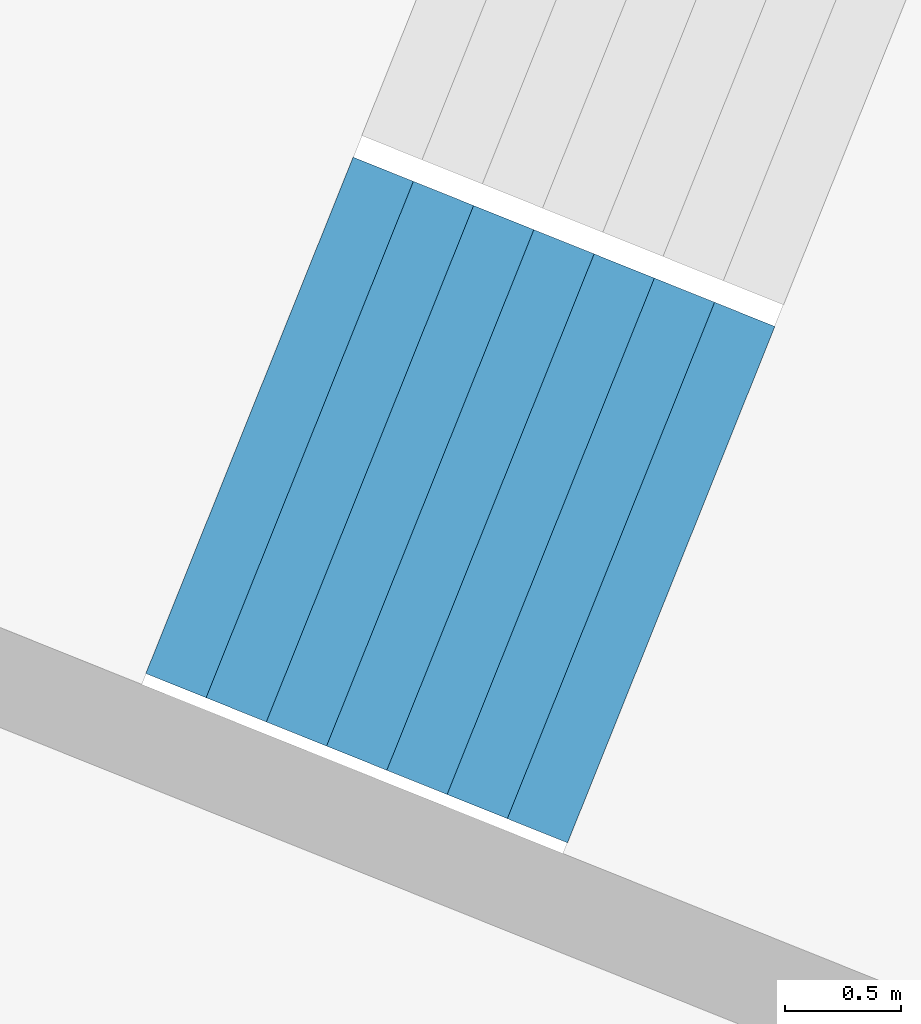
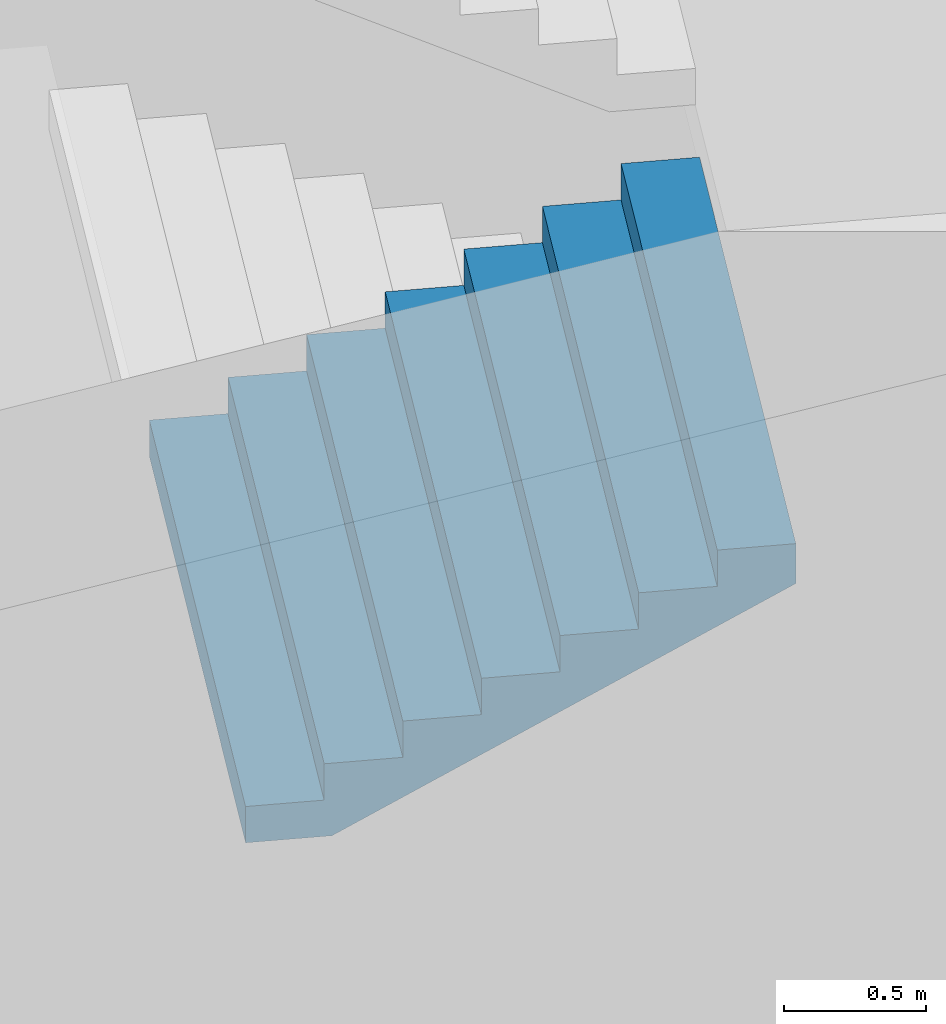
# One storey, part 50 of 73: 1 stair flight, 1 element without a shape of its own.
"""IFC4 building model written with IfcOpenShell, lengths in metres."""

from ifc_helpers import new_model, si_unit, direction, frame, origin, place, context, subcontext, project, spatial, triangles, material, type_object, element, aggregate, save


model = new_model("IFC4")

# Units and contexts
model_context = context("Model", 3, precision=1e-05, world=origin(), true_north=direction((0.0, 1.0)))
body_context = subcontext(model_context, "Body", "Model", "MODEL_VIEW")
ifc_project = project(units=[si_unit("LENGTHUNIT", "METRE"), si_unit("AREAUNIT", "SQUARE_METRE"), si_unit("VOLUMEUNIT", "CUBIC_METRE"), si_unit("PLANEANGLEUNIT", "RADIAN"), si_unit("MASSUNIT", "GRAM", prefix="KILO")], contexts=[model_context])

# Site, building, storey
site_placement = place(None, origin())
site = spatial("IfcSite", under=ifc_project, at=site_placement, CompositionType="ELEMENT")
building_placement = place(site_placement, origin())
building = spatial("IfcBuilding", under=site, at=building_placement, Name="Lantaw Convention Tower", CompositionType="ELEMENT")
storey_placement = place(building_placement, frame((0.0, 0.0, 22.0)))
storey = spatial("IfcBuildingStorey", under=building, at=storey_placement, Name="L03", CompositionType="ELEMENT", Elevation=22.0)

# Stair, stair flight
ifc_material = material(Name="Concrete C35/45", Category="concrete")
stair_type = type_object("IfcStairType", Name="Exit stair 2400 riser 156.25 in 4 flights", PredefinedType="HALF_TURN_STAIR", material=ifc_material)
stair_placement = place(storey_placement, origin())
stair = element("IfcStair", 1, at=stair_placement, inside=storey, type_object=stair_type, Name="Podium exit stair P12 L03", PredefinedType="HALF_TURN_STAIR")
stair_flight_type = type_object("IfcStairFlightType", Name="Stair flight 2400 riser 156.25", PredefinedType="STRAIGHT", material=ifc_material)
stair_flight_placement = place(storey_placement, frame((29.08642578125, -13.0234375, 2.5), z_axis=(0.0, 0.0, 1.0), x_axis=(0.928015818512, -0.372540790506, 0.0)))
stair_flight = element("IfcStairFlight", 2, at=stair_flight_placement, type_object=stair_flight_type, Name="P12 flight 3", NumberOfRisers=8, NumberOfTreads=7, PredefinedType="STRAIGHT", RiserHeight=0.15625, TreadLength=0.28, context=body_context, shape_type="Tessellation", body=[
    triangles([(0.0, 1.199951171875, 0.0), (0.0, 1.199951171875, 0.15625), (0.28, 1.199951171875, 0.0), (0.28, 1.199951171875, 0.15625), (0.28, 1.199951171875, 0.3125), (0.3076200632058044, 1.199951171875, 0.0), (0.3076200632058044, 1.199951171875, 0.3125), (0.56, 1.199951171875, 0.14083701830033238), (0.56, 1.199951171875, 0.3125), (0.56, 1.199951171875, 0.46875), (0.8400000000000001, 1.199951171875, 0.29708701830033235), (0.8400000000000001, 1.199951171875, 0.46875), (0.8400000000000001, 1.199951171875, 0.625), (1.12, 1.199951171875, 0.45333701830033235), (1.12, 1.199951171875, 0.625), (1.12, 1.199951171875, 0.78125), (1.4000000000000001, 1.199951171875, 0.6095870183003324), (1.4000000000000001, 1.199951171875, 0.78125), (1.4000000000000001, 1.199951171875, 0.9375), (1.6800000000000002, 1.199951171875, 0.7658370183003324), (1.6800000000000002, 1.199951171875, 0.9375), (1.6800000000000002, 1.199951171875, 1.09375), (1.9600000000000002, 1.199951171875, 0.9220870183003324), (1.9600000000000002, 1.199951171875, 1.09375), (0.0, -1.199951171875, 0.0), (0.0, -1.199951171875, 0.15625), (0.28, -1.199951171875, 0.0), (0.28, -1.199951171875, 0.15625), (0.28, -1.199951171875, 0.3125), (0.3076200632058044, -1.199951171875, 0.0), (0.3076200632058044, -1.199951171875, 0.3125), (0.56, -1.199951171875, 0.14083701830033238), (0.56, -1.199951171875, 0.3125), (0.56, -1.199951171875, 0.46875), (0.8400000000000001, -1.199951171875, 0.29708701830033235), (0.8400000000000001, -1.199951171875, 0.46875), (0.8400000000000001, -1.199951171875, 0.625), (1.12, -1.199951171875, 0.45333701830033235), (1.12, -1.199951171875, 0.625), (1.12, -1.199951171875, 0.78125), (1.4000000000000001, -1.199951171875, 0.6095870183003324), (1.4000000000000001, -1.199951171875, 0.78125), (1.4000000000000001, -1.199951171875, 0.9375), (1.6800000000000002, -1.199951171875, 0.7658370183003324), (1.6800000000000002, -1.199951171875, 0.9375), (1.6800000000000002, -1.199951171875, 1.09375), (1.9600000000000002, -1.199951171875, 0.9220870183003324), (1.9600000000000002, -1.199951171875, 1.09375), (0.0, 0.239990234375, 0.15625), (0.0, 0.239990234375, 0.0), (0.0, 0.1919921875, 0.15625), (0.0, 0.1919921875, 0.0), (0.0, 0.143994140625, 0.15625), (0.0, 0.143994140625, 0.0), (0.0, 0.09599609375, 0.15625), (0.0, 0.09599609375, 0.0), (0.0, 0.047998046875, 0.15625), (0.0, 0.047998046875, 0.0), (0.0, 0.0, 0.15625), (0.0, 0.0, 0.0), (0.0, -0.047998046875, 0.15625), (0.0, -0.047998046875, 0.0), (0.0, -0.09599609375, 0.15625), (0.0, -0.09599609375, 0.0), (0.0, -0.143994140625, 0.15625), (0.0, -0.143994140625, 0.0), (0.0, -0.1919921875, 0.15625), (0.0, -0.1919921875, 0.0), (0.0, -0.239990234375, 0.15625), (0.0, -0.239990234375, 0.0), (0.28, 0.239990234375, 0.3125), (0.28, 0.239990234375, 0.15625), (0.28, 0.1919921875, 0.3125), (0.28, 0.1919921875, 0.15625), (0.28, 0.143994140625, 0.3125), (0.28, 0.143994140625, 0.15625), (0.28, 0.09599609375, 0.3125), (0.28, 0.09599609375, 0.15625), (0.28, 0.047998046875, 0.3125), (0.28, 0.047998046875, 0.15625), (0.28, 0.0, 0.3125), (0.28, 0.0, 0.15625), (0.28, -0.047998046875, 0.3125), (0.28, -0.047998046875, 0.15625), (0.28, -0.09599609375, 0.3125), (0.28, -0.09599609375, 0.15625), (0.28, -0.143994140625, 0.3125), (0.28, -0.143994140625, 0.15625), (0.28, -0.1919921875, 0.3125), (0.28, -0.1919921875, 0.15625), (0.28, -0.239990234375, 0.3125), (0.28, -0.239990234375, 0.15625), (0.56, 0.239990234375, 0.46875), (0.56, 0.239990234375, 0.3125), (0.56, 0.1919921875, 0.46875), (0.56, 0.1919921875, 0.3125), (0.56, 0.143994140625, 0.46875), (0.56, 0.143994140625, 0.3125), (0.56, 0.09599609375, 0.46875), (0.56, 0.09599609375, 0.3125), (0.56, 0.047998046875, 0.46875), (0.56, 0.047998046875, 0.3125), (0.56, 0.0, 0.46875), (0.56, 0.0, 0.3125), (0.56, -0.047998046875, 0.46875), (0.56, -0.047998046875, 0.3125), (0.56, -0.09599609375, 0.46875), (0.56, -0.09599609375, 0.3125), (0.56, -0.143994140625, 0.46875), (0.56, -0.143994140625, 0.3125), (0.56, -0.1919921875, 0.46875), (0.56, -0.1919921875, 0.3125), (0.56, -0.239990234375, 0.46875), (0.56, -0.239990234375, 0.3125), (0.8400000000000001, 0.239990234375, 0.625), (0.8400000000000001, 0.239990234375, 0.46875), (0.8400000000000001, 0.1919921875, 0.625), (0.8400000000000001, 0.1919921875, 0.46875), (0.8400000000000001, 0.143994140625, 0.625), (0.8400000000000001, 0.143994140625, 0.46875), (0.8400000000000001, 0.09599609375, 0.625), (0.8400000000000001, 0.09599609375, 0.46875), (0.8400000000000001, 0.047998046875, 0.625), (0.8400000000000001, 0.047998046875, 0.46875), (0.8400000000000001, 0.0, 0.625), (0.8400000000000001, 0.0, 0.46875), (0.8400000000000001, -0.047998046875, 0.625), (0.8400000000000001, -0.047998046875, 0.46875), (0.8400000000000001, -0.09599609375, 0.625), (0.8400000000000001, -0.09599609375, 0.46875), (0.8400000000000001, -0.143994140625, 0.625), (0.8400000000000001, -0.143994140625, 0.46875), (0.8400000000000001, -0.1919921875, 0.625), (0.8400000000000001, -0.1919921875, 0.46875), (0.8400000000000001, -0.239990234375, 0.625), (0.8400000000000001, -0.239990234375, 0.46875), (1.12, 0.239990234375, 0.78125), (1.12, 0.239990234375, 0.625), (1.12, 0.1919921875, 0.78125), (1.12, 0.1919921875, 0.625), (1.12, 0.143994140625, 0.78125), (1.12, 0.143994140625, 0.625), (1.12, 0.09599609375, 0.78125), (1.12, 0.09599609375, 0.625), (1.12, 0.047998046875, 0.78125), (1.12, 0.047998046875, 0.625), (1.12, 0.0, 0.78125), (1.12, 0.0, 0.625), (1.12, -0.047998046875, 0.78125), (1.12, -0.047998046875, 0.625), (1.12, -0.09599609375, 0.78125), (1.12, -0.09599609375, 0.625), (1.12, -0.143994140625, 0.78125), (1.12, -0.143994140625, 0.625), (1.12, -0.1919921875, 0.78125), (1.12, -0.1919921875, 0.625), (1.12, -0.239990234375, 0.78125), (1.12, -0.239990234375, 0.625), (1.4000000000000001, 0.239990234375, 0.9375), (1.4000000000000001, 0.239990234375, 0.78125), (1.4000000000000001, 0.1919921875, 0.9375), (1.4000000000000001, 0.1919921875, 0.78125), (1.4000000000000001, 0.143994140625, 0.9375), (1.4000000000000001, 0.143994140625, 0.78125), (1.4000000000000001, 0.09599609375, 0.9375), (1.4000000000000001, 0.09599609375, 0.78125), (1.4000000000000001, 0.047998046875, 0.9375), (1.4000000000000001, 0.047998046875, 0.78125), (1.4000000000000001, 0.0, 0.9375), (1.4000000000000001, 0.0, 0.78125), (1.4000000000000001, -0.047998046875, 0.9375), (1.4000000000000001, -0.047998046875, 0.78125), (1.4000000000000001, -0.09599609375, 0.9375), (1.4000000000000001, -0.09599609375, 0.78125), (1.4000000000000001, -0.143994140625, 0.9375), (1.4000000000000001, -0.143994140625, 0.78125), (1.4000000000000001, -0.1919921875, 0.9375), (1.4000000000000001, -0.1919921875, 0.78125), (1.4000000000000001, -0.239990234375, 0.9375), (1.4000000000000001, -0.239990234375, 0.78125), (1.6800000000000002, 0.239990234375, 1.09375), (1.6800000000000002, 0.239990234375, 0.9375), (1.6800000000000002, 0.1919921875, 1.09375), (1.6800000000000002, 0.1919921875, 0.9375), (1.6800000000000002, 0.143994140625, 1.09375), (1.6800000000000002, 0.143994140625, 0.9375), (1.6800000000000002, 0.09599609375, 1.09375), (1.6800000000000002, 0.09599609375, 0.9375), (1.6800000000000002, 0.047998046875, 1.09375), (1.6800000000000002, 0.047998046875, 0.9375), (1.6800000000000002, 0.0, 1.09375), (1.6800000000000002, 0.0, 0.9375), (1.6800000000000002, -0.047998046875, 1.09375), (1.6800000000000002, -0.047998046875, 0.9375), (1.6800000000000002, -0.09599609375, 1.09375), (1.6800000000000002, -0.09599609375, 0.9375), (1.6800000000000002, -0.143994140625, 1.09375), (1.6800000000000002, -0.143994140625, 0.9375), (1.6800000000000002, -0.1919921875, 1.09375), (1.6800000000000002, -0.1919921875, 0.9375), (1.6800000000000002, -0.239990234375, 1.09375), (1.6800000000000002, -0.239990234375, 0.9375), (0.3076200632058044, 0.239990234375, 0.3125), (0.3076200632058044, 0.1919921875, 0.3125), (0.3076200632058044, 0.143994140625, 0.3125), (0.3076200632058044, 0.09599609375, 0.3125), (0.3076200632058044, 0.047998046875, 0.3125), (0.3076200632058044, 0.0, 0.3125), (0.3076200632058044, -0.047998046875, 0.3125), (0.3076200632058044, -0.09599609375, 0.3125), (0.3076200632058044, -0.143994140625, 0.3125), (0.3076200632058044, -0.1919921875, 0.3125), (0.3076200632058044, -0.239990234375, 0.3125), (1.9600000000000002, 0.239990234375, 1.09375), (1.9600000000000002, 0.1919921875, 1.09375), (1.9600000000000002, 0.143994140625, 1.09375), (1.9600000000000002, 0.09599609375, 1.09375), (1.9600000000000002, 0.047998046875, 1.09375), (1.9600000000000002, 0.0, 1.09375), (1.9600000000000002, -0.047998046875, 1.09375), (1.9600000000000002, -0.09599609375, 1.09375), (1.9600000000000002, -0.143994140625, 1.09375), (1.9600000000000002, -0.1919921875, 1.09375), (1.9600000000000002, -0.239990234375, 1.09375), (1.9600000000000002, 0.239990234375, 0.9220870183003324), (1.9600000000000002, 0.1919921875, 0.9220870183003324), (1.9600000000000002, 0.143994140625, 0.9220870183003324), (1.9600000000000002, 0.09599609375, 0.9220870183003324), (1.9600000000000002, 0.047998046875, 0.9220870183003324), (1.9600000000000002, 0.0, 0.9220870183003324), (1.9600000000000002, -0.047998046875, 0.9220870183003324), (1.9600000000000002, -0.09599609375, 0.9220870183003324), (1.9600000000000002, -0.143994140625, 0.9220870183003324), (1.9600000000000002, -0.1919921875, 0.9220870183003324), (1.9600000000000002, -0.239990234375, 0.9220870183003324), (1.6800000000000002, 0.239990234375, 0.7658370183003324), (1.6800000000000002, 0.1919921875, 0.7658370183003324), (1.6800000000000002, 0.143994140625, 0.7658370183003324), (1.6800000000000002, 0.09599609375, 0.7658370183003324), (1.6800000000000002, 0.047998046875, 0.7658370183003324), (1.6800000000000002, 0.0, 0.7658370183003324), (1.6800000000000002, -0.047998046875, 0.7658370183003324), (1.6800000000000002, -0.09599609375, 0.7658370183003324), (1.6800000000000002, -0.143994140625, 0.7658370183003324), (1.6800000000000002, -0.1919921875, 0.7658370183003324), (1.6800000000000002, -0.239990234375, 0.7658370183003324), (1.4000000000000001, 0.239990234375, 0.6095870183003324), (1.4000000000000001, 0.1919921875, 0.6095870183003324), (1.4000000000000001, 0.143994140625, 0.6095870183003324), (1.4000000000000001, 0.09599609375, 0.6095870183003324), (1.4000000000000001, 0.047998046875, 0.6095870183003324), (1.4000000000000001, 0.0, 0.6095870183003324), (1.4000000000000001, -0.047998046875, 0.6095870183003324), (1.4000000000000001, -0.09599609375, 0.6095870183003324), (1.4000000000000001, -0.143994140625, 0.6095870183003324), (1.4000000000000001, -0.1919921875, 0.6095870183003324), (1.4000000000000001, -0.239990234375, 0.6095870183003324), (1.12, 0.239990234375, 0.45333701830033235), (1.12, 0.1919921875, 0.45333701830033235), (1.12, 0.143994140625, 0.45333701830033235), (1.12, 0.09599609375, 0.45333701830033235), (1.12, 0.047998046875, 0.45333701830033235), (1.12, 0.0, 0.45333701830033235), (1.12, -0.047998046875, 0.45333701830033235), (1.12, -0.09599609375, 0.45333701830033235), (1.12, -0.143994140625, 0.45333701830033235), (1.12, -0.1919921875, 0.45333701830033235), (1.12, -0.239990234375, 0.45333701830033235), (0.8400000000000001, 0.239990234375, 0.29708701830033235), (0.8400000000000001, 0.1919921875, 0.29708701830033235), (0.8400000000000001, 0.143994140625, 0.29708701830033235), (0.8400000000000001, 0.09599609375, 0.29708701830033235), (0.8400000000000001, 0.047998046875, 0.29708701830033235), (0.8400000000000001, 0.0, 0.29708701830033235), (0.8400000000000001, -0.047998046875, 0.29708701830033235), (0.8400000000000001, -0.09599609375, 0.29708701830033235), (0.8400000000000001, -0.143994140625, 0.29708701830033235), (0.8400000000000001, -0.1919921875, 0.29708701830033235), (0.8400000000000001, -0.239990234375, 0.29708701830033235), (0.56, 0.239990234375, 0.14083701830033238), (0.56, 0.1919921875, 0.14083701830033238), (0.56, 0.143994140625, 0.14083701830033238), (0.56, 0.09599609375, 0.14083701830033238), (0.56, 0.047998046875, 0.14083701830033238), (0.56, 0.0, 0.14083701830033238), (0.56, -0.047998046875, 0.14083701830033238), (0.56, -0.09599609375, 0.14083701830033238), (0.56, -0.143994140625, 0.14083701830033238), (0.56, -0.1919921875, 0.14083701830033238), (0.56, -0.239990234375, 0.14083701830033238), (0.3076200632058044, 0.239990234375, 0.0), (0.3076200632058044, 0.1919921875, 0.0), (0.3076200632058044, 0.143994140625, 0.0), (0.3076200632058044, 0.09599609375, 0.0), (0.3076200632058044, 0.047998046875, 0.0), (0.3076200632058044, 0.0, 0.0), (0.3076200632058044, -0.047998046875, 0.0), (0.3076200632058044, -0.09599609375, 0.0), (0.3076200632058044, -0.143994140625, 0.0), (0.3076200632058044, -0.1919921875, 0.0), (0.3076200632058044, -0.239990234375, 0.0), (0.28, 0.239990234375, 0.0), (0.28, 0.1919921875, 0.0), (0.28, 0.143994140625, 0.0), (0.28, 0.09599609375, 0.0), (0.28, 0.047998046875, 0.0), (0.28, 0.0, 0.0), (0.28, -0.047998046875, 0.0), (0.28, -0.09599609375, 0.0), (0.28, -0.143994140625, 0.0), (0.28, -0.1919921875, 0.0), (0.28, -0.239990234375, 0.0)], [[1, 4, 3], [1, 2, 4], [3, 4, 6], [4, 7, 6], [4, 5, 7], [6, 9, 8], [6, 7, 9], [8, 9, 11], [9, 12, 11], [9, 10, 12], [11, 12, 14], [12, 15, 14], [12, 13, 15], [14, 15, 17], [15, 18, 17], [15, 16, 18], [17, 18, 20], [18, 21, 20], [18, 19, 21], [20, 21, 23], [21, 24, 23], [21, 22, 24], [25, 27, 28], [25, 28, 26], [27, 30, 28], [28, 30, 31], [28, 31, 29], [30, 32, 33], [30, 33, 31], [32, 35, 33], [33, 35, 36], [33, 36, 34], [35, 38, 36], [36, 38, 39], [36, 39, 37], [38, 41, 39], [39, 41, 42], [39, 42, 40], [41, 44, 42], [42, 44, 45], [42, 45, 43], [44, 47, 45], [45, 47, 48], [45, 48, 46], [1, 49, 2], [1, 50, 49], [50, 51, 49], [50, 52, 51], [52, 53, 51], [52, 54, 53], [54, 55, 53], [54, 56, 55], [56, 57, 55], [56, 58, 57], [58, 59, 57], [58, 60, 59], [60, 61, 59], [60, 62, 61], [62, 63, 61], [62, 64, 63], [64, 65, 63], [64, 66, 65], [66, 67, 65], [66, 68, 67], [68, 69, 67], [68, 70, 69], [70, 26, 69], [70, 25, 26], [4, 71, 5], [4, 72, 71], [72, 73, 71], [72, 74, 73], [74, 75, 73], [74, 76, 75], [76, 77, 75], [76, 78, 77], [78, 79, 77], [78, 80, 79], [80, 81, 79], [80, 82, 81], [82, 83, 81], [82, 84, 83], [84, 85, 83], [84, 86, 85], [86, 87, 85], [86, 88, 87], [88, 89, 87], [88, 90, 89], [90, 91, 89], [90, 92, 91], [92, 29, 91], [92, 28, 29], [9, 93, 10], [9, 94, 93], [94, 95, 93], [94, 96, 95], [96, 97, 95], [96, 98, 97], [98, 99, 97], [98, 100, 99], [100, 101, 99], [100, 102, 101], [102, 103, 101], [102, 104, 103], [104, 105, 103], [104, 106, 105], [106, 107, 105], [106, 108, 107], [108, 109, 107], [108, 110, 109], [110, 111, 109], [110, 112, 111], [112, 113, 111], [112, 114, 113], [114, 34, 113], [114, 33, 34], [12, 115, 13], [12, 116, 115], [116, 117, 115], [116, 118, 117], [118, 119, 117], [118, 120, 119], [120, 121, 119], [120, 122, 121], [122, 123, 121], [122, 124, 123], [124, 125, 123], [124, 126, 125], [126, 127, 125], [126, 128, 127], [128, 129, 127], [128, 130, 129], [130, 131, 129], [130, 132, 131], [132, 133, 131], [132, 134, 133], [134, 135, 133], [134, 136, 135], [136, 37, 135], [136, 36, 37], [15, 137, 16], [15, 138, 137], [138, 139, 137], [138, 140, 139], [140, 141, 139], [140, 142, 141], [142, 143, 141], [142, 144, 143], [144, 145, 143], [144, 146, 145], [146, 147, 145], [146, 148, 147], [148, 149, 147], [148, 150, 149], [150, 151, 149], [150, 152, 151], [152, 153, 151], [152, 154, 153], [154, 155, 153], [154, 156, 155], [156, 157, 155], [156, 158, 157], [158, 40, 157], [158, 39, 40], [18, 159, 19], [18, 160, 159], [160, 161, 159], [160, 162, 161], [162, 163, 161], [162, 164, 163], [164, 165, 163], [164, 166, 165], [166, 167, 165], [166, 168, 167], [168, 169, 167], [168, 170, 169], [170, 171, 169], [170, 172, 171], [172, 173, 171], [172, 174, 173], [174, 175, 173], [174, 176, 175], [176, 177, 175], [176, 178, 177], [178, 179, 177], [178, 180, 179], [180, 43, 179], [180, 42, 43], [21, 181, 22], [21, 182, 181], [182, 183, 181], [182, 184, 183], [184, 185, 183], [184, 186, 185], [186, 187, 185], [186, 188, 187], [188, 189, 187], [188, 190, 189], [190, 191, 189], [190, 192, 191], [192, 193, 191], [192, 194, 193], [194, 195, 193], [194, 196, 195], [196, 197, 195], [196, 198, 197], [198, 199, 197], [198, 200, 199], [200, 201, 199], [200, 202, 201], [202, 46, 201], [202, 45, 46], [2, 72, 4], [2, 49, 72], [49, 74, 72], [49, 51, 74], [51, 76, 74], [51, 53, 76], [53, 78, 76], [53, 55, 78], [55, 80, 78], [55, 57, 80], [57, 82, 80], [57, 59, 82], [59, 84, 82], [59, 61, 84], [61, 86, 84], [61, 63, 86], [63, 88, 86], [63, 65, 88], [65, 90, 88], [65, 67, 90], [67, 92, 90], [67, 69, 92], [69, 28, 92], [69, 26, 28], [5, 203, 7], [5, 71, 203], [71, 204, 203], [71, 73, 204], [73, 205, 204], [73, 75, 205], [75, 206, 205], [75, 77, 206], [77, 207, 206], [77, 79, 207], [79, 208, 207], [79, 81, 208], [81, 209, 208], [81, 83, 209], [83, 210, 209], [83, 85, 210], [85, 211, 210], [85, 87, 211], [87, 212, 211], [87, 89, 212], [89, 213, 212], [89, 91, 213], [91, 31, 213], [91, 29, 31], [7, 94, 9], [7, 203, 94], [203, 96, 94], [203, 204, 96], [204, 98, 96], [204, 205, 98], [205, 100, 98], [205, 206, 100], [206, 102, 100], [206, 207, 102], [207, 104, 102], [207, 208, 104], [208, 106, 104], [208, 209, 106], [209, 108, 106], [209, 210, 108], [210, 110, 108], [210, 211, 110], [211, 112, 110], [211, 212, 112], [212, 114, 112], [212, 213, 114], [213, 33, 114], [213, 31, 33], [10, 116, 12], [10, 93, 116], [93, 118, 116], [93, 95, 118], [95, 120, 118], [95, 97, 120], [97, 122, 120], [97, 99, 122], [99, 124, 122], [99, 101, 124], [101, 126, 124], [101, 103, 126], [103, 128, 126], [103, 105, 128], [105, 130, 128], [105, 107, 130], [107, 132, 130], [107, 109, 132], [109, 134, 132], [109, 111, 134], [111, 136, 134], [111, 113, 136], [113, 36, 136], [113, 34, 36], [13, 138, 15], [13, 115, 138], [115, 140, 138], [115, 117, 140], [117, 142, 140], [117, 119, 142], [119, 144, 142], [119, 121, 144], [121, 146, 144], [121, 123, 146], [123, 148, 146], [123, 125, 148], [125, 150, 148], [125, 127, 150], [127, 152, 150], [127, 129, 152], [129, 154, 152], [129, 131, 154], [131, 156, 154], [131, 133, 156], [133, 158, 156], [133, 135, 158], [135, 39, 158], [135, 37, 39], [16, 160, 18], [16, 137, 160], [137, 162, 160], [137, 139, 162], [139, 164, 162], [139, 141, 164], [141, 166, 164], [141, 143, 166], [143, 168, 166], [143, 145, 168], [145, 170, 168], [145, 147, 170], [147, 172, 170], [147, 149, 172], [149, 174, 172], [149, 151, 174], [151, 176, 174], [151, 153, 176], [153, 178, 176], [153, 155, 178], [155, 180, 178], [155, 157, 180], [157, 42, 180], [157, 40, 42], [19, 182, 21], [19, 159, 182], [159, 184, 182], [159, 161, 184], [161, 186, 184], [161, 163, 186], [163, 188, 186], [163, 165, 188], [165, 190, 188], [165, 167, 190], [167, 192, 190], [167, 169, 192], [169, 194, 192], [169, 171, 194], [171, 196, 194], [171, 173, 196], [173, 198, 196], [173, 175, 198], [175, 200, 198], [175, 177, 200], [177, 202, 200], [177, 179, 202], [179, 45, 202], [179, 43, 45], [22, 214, 24], [22, 181, 214], [181, 215, 214], [181, 183, 215], [183, 216, 215], [183, 185, 216], [185, 217, 216], [185, 187, 217], [187, 218, 217], [187, 189, 218], [189, 219, 218], [189, 191, 219], [191, 220, 219], [191, 193, 220], [193, 221, 220], [193, 195, 221], [195, 222, 221], [195, 197, 222], [197, 223, 222], [197, 199, 223], [199, 224, 223], [199, 201, 224], [201, 48, 224], [201, 46, 48], [24, 225, 23], [24, 214, 225], [214, 226, 225], [214, 215, 226], [215, 227, 226], [215, 216, 227], [216, 228, 227], [216, 217, 228], [217, 229, 228], [217, 218, 229], [218, 230, 229], [218, 219, 230], [219, 231, 230], [219, 220, 231], [220, 232, 231], [220, 221, 232], [221, 233, 232], [221, 222, 233], [222, 234, 233], [222, 223, 234], [223, 235, 234], [223, 224, 235], [224, 47, 235], [224, 48, 47], [23, 236, 20], [23, 225, 236], [225, 237, 236], [225, 226, 237], [226, 238, 237], [226, 227, 238], [227, 239, 238], [227, 228, 239], [228, 240, 239], [228, 229, 240], [229, 241, 240], [229, 230, 241], [230, 242, 241], [230, 231, 242], [231, 243, 242], [231, 232, 243], [232, 244, 243], [232, 233, 244], [233, 245, 244], [233, 234, 245], [234, 246, 245], [234, 235, 246], [235, 44, 246], [235, 47, 44], [20, 247, 17], [20, 236, 247], [236, 248, 247], [236, 237, 248], [237, 249, 248], [237, 238, 249], [238, 250, 249], [238, 239, 250], [239, 251, 250], [239, 240, 251], [240, 252, 251], [240, 241, 252], [241, 253, 252], [241, 242, 253], [242, 254, 253], [242, 243, 254], [243, 255, 254], [243, 244, 255], [244, 256, 255], [244, 245, 256], [245, 257, 256], [245, 246, 257], [246, 41, 257], [246, 44, 41], [17, 258, 14], [17, 247, 258], [247, 259, 258], [247, 248, 259], [248, 260, 259], [248, 249, 260], [249, 261, 260], [249, 250, 261], [250, 262, 261], [250, 251, 262], [251, 263, 262], [251, 252, 263], [252, 264, 263], [252, 253, 264], [253, 265, 264], [253, 254, 265], [254, 266, 265], [254, 255, 266], [255, 267, 266], [255, 256, 267], [256, 268, 267], [256, 257, 268], [257, 38, 268], [257, 41, 38], [14, 269, 11], [14, 258, 269], [258, 270, 269], [258, 259, 270], [259, 271, 270], [259, 260, 271], [260, 272, 271], [260, 261, 272], [261, 273, 272], [261, 262, 273], [262, 274, 273], [262, 263, 274], [263, 275, 274], [263, 264, 275], [264, 276, 275], [264, 265, 276], [265, 277, 276], [265, 266, 277], [266, 278, 277], [266, 267, 278], [267, 279, 278], [267, 268, 279], [268, 35, 279], [268, 38, 35], [11, 280, 8], [11, 269, 280], [269, 281, 280], [269, 270, 281], [270, 282, 281], [270, 271, 282], [271, 283, 282], [271, 272, 283], [272, 284, 283], [272, 273, 284], [273, 285, 284], [273, 274, 285], [274, 286, 285], [274, 275, 286], [275, 287, 286], [275, 276, 287], [276, 288, 287], [276, 277, 288], [277, 289, 288], [277, 278, 289], [278, 290, 289], [278, 279, 290], [279, 32, 290], [279, 35, 32], [8, 291, 6], [8, 280, 291], [280, 292, 291], [280, 281, 292], [281, 293, 292], [281, 282, 293], [282, 294, 293], [282, 283, 294], [283, 295, 294], [283, 284, 295], [284, 296, 295], [284, 285, 296], [285, 297, 296], [285, 286, 297], [286, 298, 297], [286, 287, 298], [287, 299, 298], [287, 288, 299], [288, 300, 299], [288, 289, 300], [289, 301, 300], [289, 290, 301], [290, 30, 301], [290, 32, 30], [6, 302, 3], [6, 291, 302], [291, 303, 302], [291, 292, 303], [292, 304, 303], [292, 293, 304], [293, 305, 304], [293, 294, 305], [294, 306, 305], [294, 295, 306], [295, 307, 306], [295, 296, 307], [296, 308, 307], [296, 297, 308], [297, 309, 308], [297, 298, 309], [298, 310, 309], [298, 299, 310], [299, 311, 310], [299, 300, 311], [300, 312, 311], [300, 301, 312], [301, 27, 312], [301, 30, 27], [3, 50, 1], [3, 302, 50], [302, 52, 50], [302, 303, 52], [303, 54, 52], [303, 304, 54], [304, 56, 54], [304, 305, 56], [305, 58, 56], [305, 306, 58], [306, 60, 58], [306, 307, 60], [307, 62, 60], [307, 308, 62], [308, 64, 62], [308, 309, 64], [309, 66, 64], [309, 310, 66], [310, 68, 66], [310, 311, 68], [311, 70, 68], [311, 312, 70], [312, 25, 70], [312, 27, 25]], closed=True),
])
aggregate(stair, [stair_flight])

save(model, "model.ifc")
